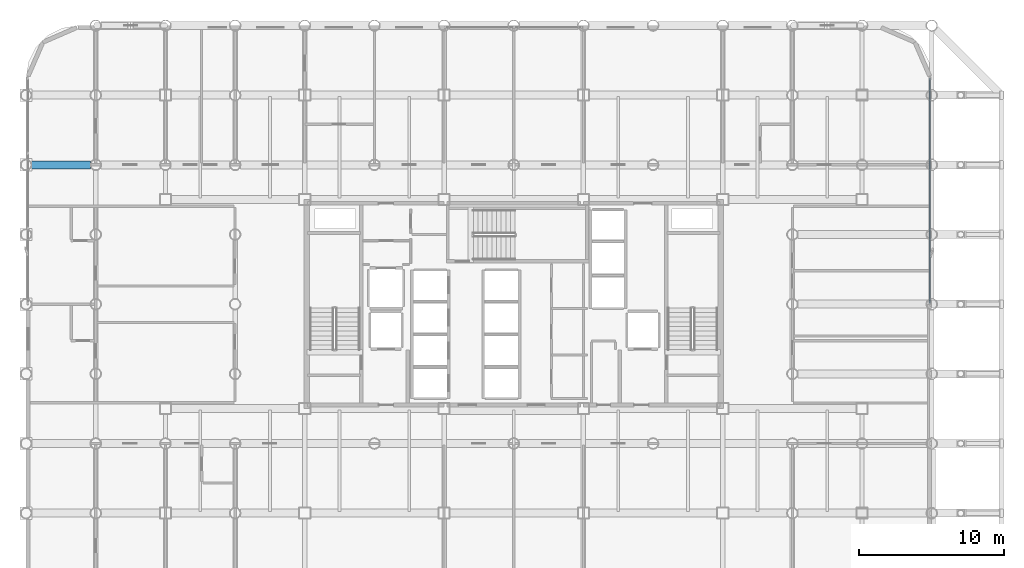
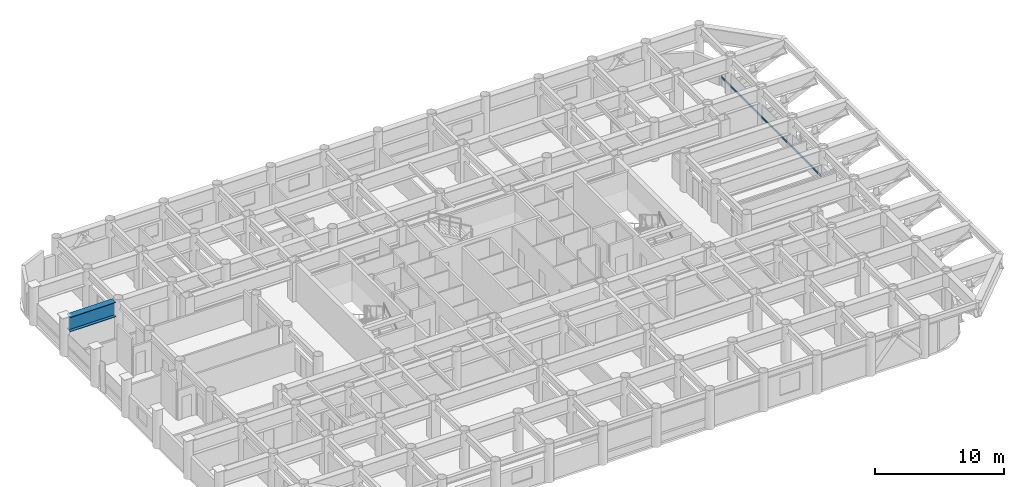
# One storey, part 11 of 26: 1 beam, 1 member, 1 element without a shape of its own.
"""IFC4 building model written with IfcOpenShell, lengths in metres."""

from ifc_helpers import new_model, si_unit, direction, frame, origin, origin_2d, place, context, subcontext, project, spatial, hollow_rectangle, i_section, extrude, material, layer, layer_set, material_profile, profile_set, type_object, element, aggregate, save


model = new_model("IFC4")

# Units and contexts
model_context = context("Model", 3, precision=1e-05, world=origin(), true_north=direction((0.0, 1.0)))
body_context = subcontext(model_context, "Body", "Model", "MODEL_VIEW")
ifc_project = project(units=[si_unit("LENGTHUNIT", "METRE"), si_unit("AREAUNIT", "SQUARE_METRE"), si_unit("VOLUMEUNIT", "CUBIC_METRE"), si_unit("PLANEANGLEUNIT", "RADIAN"), si_unit("MASSUNIT", "GRAM", prefix="KILO")], contexts=[model_context])

# Site, building, storey
site_placement = place(None, origin())
site = spatial("IfcSite", under=ifc_project, at=site_placement, CompositionType="ELEMENT")
building_placement = place(site_placement, origin())
building = spatial("IfcBuilding", under=site, at=building_placement, Name="Kallvorn Hotel Tower", CompositionType="ELEMENT")
storey_placement = place(building_placement, frame((0.0, 0.0, 55.89990234375)))
storey = spatial("IfcBuildingStorey", under=building, at=storey_placement, Name="L12", CompositionType="ELEMENT", Elevation=55.89990234375)

# Beam
ifc_material_1 = material(Name="Structural steel S355JR", Category="steel")
ifc_material_profile_1 = material_profile(ifc_material_1, i_section(OverallWidth=0.550048828125, OverallDepth=1.39990234375, WebThickness=0.02490234375, FlangeThickness=0.044921875, at=origin_2d()), Name="PG 1400x550x25x45")
ifc_profile_set_1 = profile_set([ifc_material_profile_1], Name="Structural steel S355JR")
beam_type = type_object("IfcBeamType", Name="BM_PG_1400", PredefinedType="BEAM", material=ifc_profile_set_1)
beam_placement = place(storey_placement, frame((-33.243896484375, 9.60009765625, 2.820068359375), z_axis=(1.0, 0.0, 0.0), x_axis=(0.0, 1.0, 0.0)))
element("IfcBeam", 1, at=beam_placement, inside=storey, type_object=beam_type, Name="L13 Primary X-Girder 51", PredefinedType="BEAM", context=body_context, shape_type="SweptSolid", body=[
    extrude(i_section(OverallWidth=0.550048828125, OverallDepth=1.39990234375, WebThickness=0.02490234375, FlangeThickness=0.044921875, at=origin_2d()), origin(), (0.0, 0.0, 1.0), 4.087890625),
])

# Curtain wall, member
ifc_material_2 = material(Name="Thermally broken black-anodised aluminium AA 6063-T6", Category="aluminium")
ifc_layer = layer(ifc_material_2, 0.199951171875)
ifc_layer_set = layer_set([ifc_layer], Name="CW_SYS_3_HOTEL_LOW")
curtain_wall_type = type_object("IfcCurtainWallType", Name="CW_SYS_3_HOTEL_LOW", PredefinedType="USERDEFINED", material=ifc_layer_set)
curtain_wall_placement = place(storey_placement, origin())
curtain_wall = element("IfcCurtainWall", 2, at=curtain_wall_placement, inside=storey, type_object=curtain_wall_type, Name="L12 Dark-Glass Curtain Wall CW-L12-EN", ObjectType="UNITISED CURTAIN WALL", PredefinedType="USERDEFINED")
ifc_material_3 = material(Name="Thermally broken black-anodised aluminium AA 6063-T6", Category="aluminium")
ifc_material_profile_2 = material_profile(ifc_material_3, hollow_rectangle(XDim=0.070068359375, YDim=0.179931640625, WallThickness=0.00390625, at=origin_2d()), Name="TRN 180x70")
ifc_profile_set_2 = profile_set([ifc_material_profile_2], Name="Thermally broken black-anodised aluminium AA 6063-T6")
member_type = type_object("IfcMemberType", Name="CW_TRANSOM_180x70", PredefinedType="USERDEFINED", material=ifc_profile_set_2)
member_placement = place(storey_placement, frame((28.679931640625, 0.06005859375, 0.85009765625), z_axis=(0.0, 1.0, 0.0), x_axis=(-1.0, 0.0, 0.0)))
member = element("IfcMember", 3, at=member_placement, type_object=member_type, Name="CW-L12-EN Transom 00M", ObjectType="TRANSOM", PredefinedType="USERDEFINED", context=body_context, shape_type="SweptSolid", body=[
    extrude(hollow_rectangle(XDim=0.070068359375, YDim=0.179931640625, WallThickness=0.00390625, at=origin_2d()), origin(), (0.0, 0.0, 1.0), 15.5),
])
aggregate(curtain_wall, [member])

save(model, "model.ifc")
